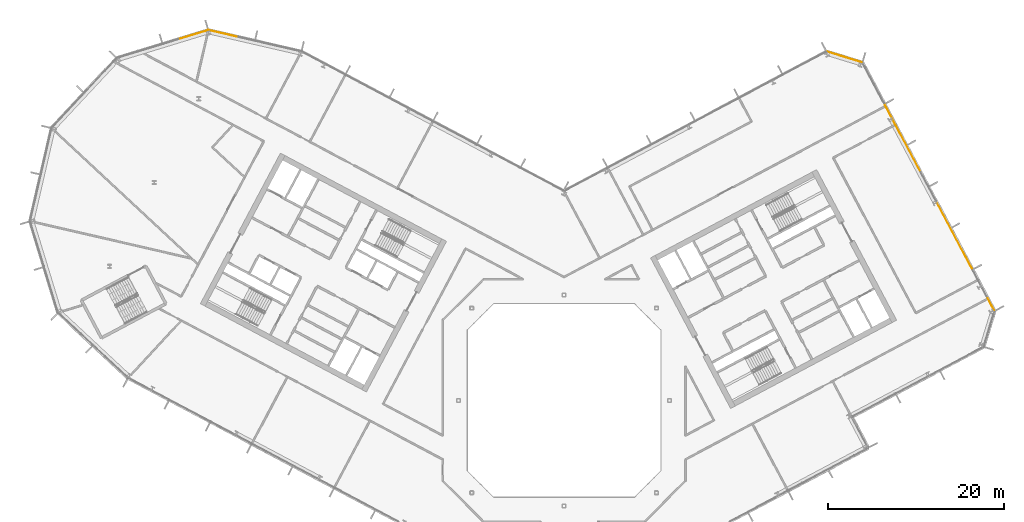
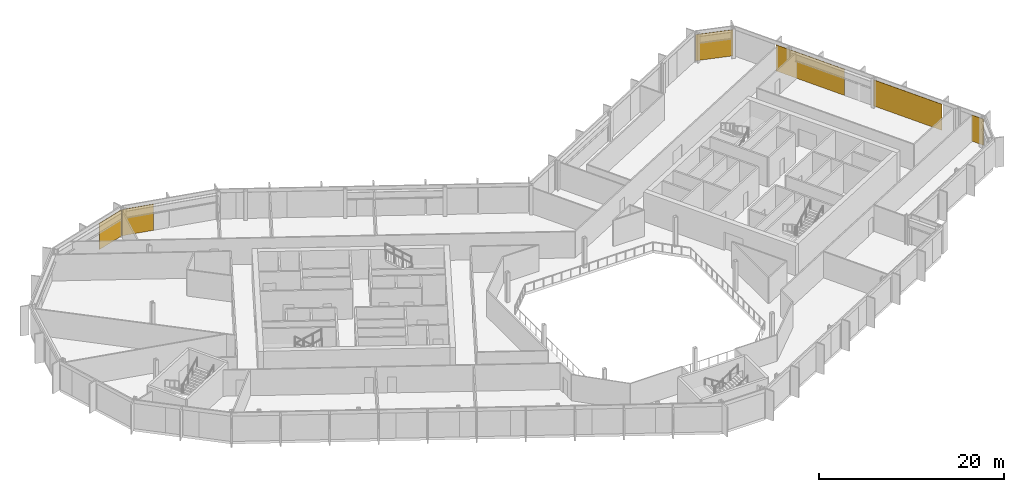
# One storey, part 26 of 26: 6 coverings, 4 elements without a shape of their own.
"""IFC4 building model written with IfcOpenShell, lengths in metres."""

from ifc_helpers import new_model, si_unit, direction, frame, origin, origin_2d, place, context, subcontext, project, spatial, rectangle, extrude, material, layer, layer_set, type_object, element, aggregate, save


model = new_model("IFC4")

# Units and contexts
model_context = context("Model", 3, precision=1e-05, world=origin(), true_north=direction((0.0, 1.0)))
body_context = subcontext(model_context, "Body", "Model", "MODEL_VIEW")
ifc_project = project(units=[si_unit("LENGTHUNIT", "METRE"), si_unit("AREAUNIT", "SQUARE_METRE"), si_unit("VOLUMEUNIT", "CUBIC_METRE"), si_unit("PLANEANGLEUNIT", "RADIAN"), si_unit("MASSUNIT", "GRAM", prefix="KILO")], contexts=[model_context])

# Site, building, storey
site_placement = place(None, origin())
site = spatial("IfcSite", under=ifc_project, at=site_placement, CompositionType="ELEMENT")
building_placement = place(site_placement, origin())
building = spatial("IfcBuilding", under=site, at=building_placement, Name="Cormorant Relay Tower", CompositionType="ELEMENT")
storey_placement = place(building_placement, frame((0.0, 0.0, 248.10009765625)))
storey = spatial("IfcBuildingStorey", under=building, at=storey_placement, Name="L55", CompositionType="ELEMENT", Elevation=248.10009765625)

# Curtain wall, coverings
ifc_material_1 = material(Name="Aluminium 6063-T6 anodised bronze", Category="aluminium")
ifc_layer_1 = layer(ifc_material_1, 0.199951171875)
ifc_layer_set_1 = layer_set([ifc_layer_1], Name="CW1 unitised bronze curtain wall with vertical fins")
curtain_wall_type = type_object("IfcCurtainWallType", Name="CW1 unitised bronze curtain wall with vertical fins", PredefinedType="NOTDEFINED", material=ifc_layer_set_1)
curtain_wall_1_placement = place(storey_placement, origin())
curtain_wall_1 = element("IfcCurtainWall", 1, at=curtain_wall_1_placement, inside=storey, type_object=curtain_wall_type, Name="CW1 curtain wall 6", PredefinedType="NOTDEFINED")
ifc_material_2 = material(Name="Pale bronze anodised aluminium insulated panel", Category="aluminium")
ifc_layer_2 = layer(ifc_material_2, 0.0400390625)
ifc_layer_set_2 = layer_set([ifc_layer_2], Name="CW1 pale bronze insulated panel 40")
covering_type = type_object("IfcCoveringType", Name="CW1 pale bronze insulated panel 40", PredefinedType="CLADDING", material=ifc_layer_set_2)
covering_1_placement = place(storey_placement, frame((48.56494140625, 10.947998046875, 0.0), z_axis=(0.0, 0.0, 1.0), x_axis=(-0.469471562786, 0.882947592859, 0.0)))
covering_1 = element("IfcCovering", 2, at=covering_1_placement, type_object=covering_type, Name="CW1 panel S00", PredefinedType="CLADDING", context=body_context, shape_type="SweptSolid", body=[
    extrude(rectangle(XDim=1.583251953125, YDim=0.0400390625, at=origin_2d()), origin(), (0.0, 0.0, 1.0), 3.449951171875),
])
covering_2_placement = place(storey_placement, frame((44.38671875, 18.80615234375, 0.0), z_axis=(0.0, 0.0, 1.0), x_axis=(-0.469471562786, 0.882947592859, 0.0)))
covering_2 = element("IfcCovering", 3, at=covering_2_placement, type_object=covering_type, Name="CW1 panel S02", PredefinedType="CLADDING", context=body_context, shape_type="SweptSolid", body=[
    extrude(rectangle(XDim=8.716796875, YDim=0.0400390625, at=origin_2d()), origin(), (0.0, 0.0, 1.0), 3.449951171875),
])
covering_3_placement = place(storey_placement, frame((38.53369140625, 29.813720703125, 0.0), z_axis=(0.0, 0.0, 1.0), x_axis=(-0.469471562786, 0.882947592859, 0.0)))
covering_3 = element("IfcCovering", 4, at=covering_3_placement, type_object=covering_type, Name="CW1 panel S05", PredefinedType="CLADDING", context=body_context, shape_type="SweptSolid", body=[
    extrude(rectangle(XDim=8.716796875, YDim=0.0400390625, at=origin_2d()), origin(), (0.0, 0.0, 1.0), 3.449951171875),
])
aggregate(curtain_wall_1, [covering_1, covering_2, covering_3])

# Curtain wall, covering
curtain_wall_2_placement = place(storey_placement, origin())
curtain_wall_2 = element("IfcCurtainWall", 5, at=curtain_wall_2_placement, inside=storey, type_object=curtain_wall_type, Name="CW1 curtain wall 7", PredefinedType="NOTDEFINED")
covering_4_placement = place(storey_placement, frame((31.872314453125, 39.077880859375, 0.0), z_axis=(0.0, 0.0, 1.0), x_axis=(-0.956304755963, 0.292371704723, 0.0)))
covering_4 = element("IfcCovering", 6, at=covering_4_placement, type_object=covering_type, Name="CW1 panel S00", PredefinedType="CLADDING", context=body_context, shape_type="SweptSolid", body=[
    extrude(rectangle(XDim=4.16748046875, YDim=0.0400390625, at=origin_2d()), origin(), (0.0, 0.0, 1.0), 3.449951171875),
])
aggregate(curtain_wall_2, [covering_4])

curtain_wall_3_placement = place(storey_placement, origin())
curtain_wall_3 = element("IfcCurtainWall", 7, at=curtain_wall_3_placement, inside=storey, type_object=curtain_wall_type, Name="CW1 curtain wall 10", PredefinedType="NOTDEFINED")
covering_5_placement = place(storey_placement, frame((-38.7265625, 41.732421875, 0.0), z_axis=(0.0, 0.0, 1.0), x_axis=(-0.974370064785, 0.224951054344, 0.0)))
covering_5 = element("IfcCovering", 8, at=covering_5_placement, type_object=covering_type, Name="CW1 panel S02", PredefinedType="CLADDING", context=body_context, shape_type="SweptSolid", body=[
    extrude(rectangle(XDim=3.560302734375, YDim=0.0400390625, at=origin_2d()), origin(), (0.0, 0.0, 1.0), 3.449951171875),
])
aggregate(curtain_wall_3, [covering_5])

curtain_wall_4_placement = place(storey_placement, origin())
curtain_wall_4 = element("IfcCurtainWall", 9, at=curtain_wall_4_placement, inside=storey, type_object=curtain_wall_type, Name="CW1 curtain wall 11", PredefinedType="NOTDEFINED")
covering_6_placement = place(storey_placement, frame((-42.209716796875, 41.60107421875, 0.0), z_axis=(0.0, 0.0, 1.0), x_axis=(-0.956304755963, -0.292371704723, 0.0)))
covering_6 = element("IfcCovering", 10, at=covering_6_placement, type_object=covering_type, Name="CW1 panel S00", PredefinedType="CLADDING", context=body_context, shape_type="SweptSolid", body=[
    extrude(rectangle(XDim=3.485107421875, YDim=0.0400390625, at=origin_2d()), origin(), (0.0, 0.0, 1.0), 3.449951171875),
])
aggregate(curtain_wall_4, [covering_6])

save(model, "model.ifc")
